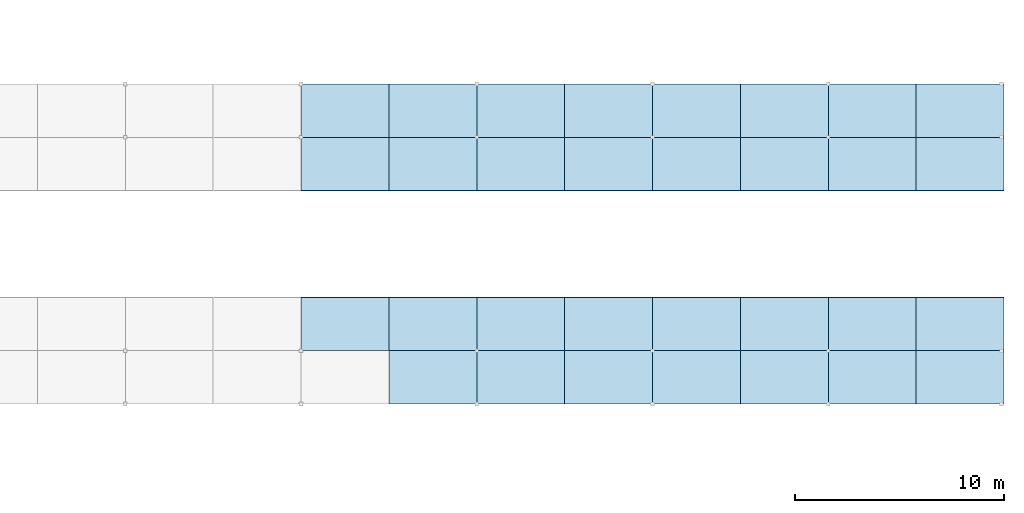
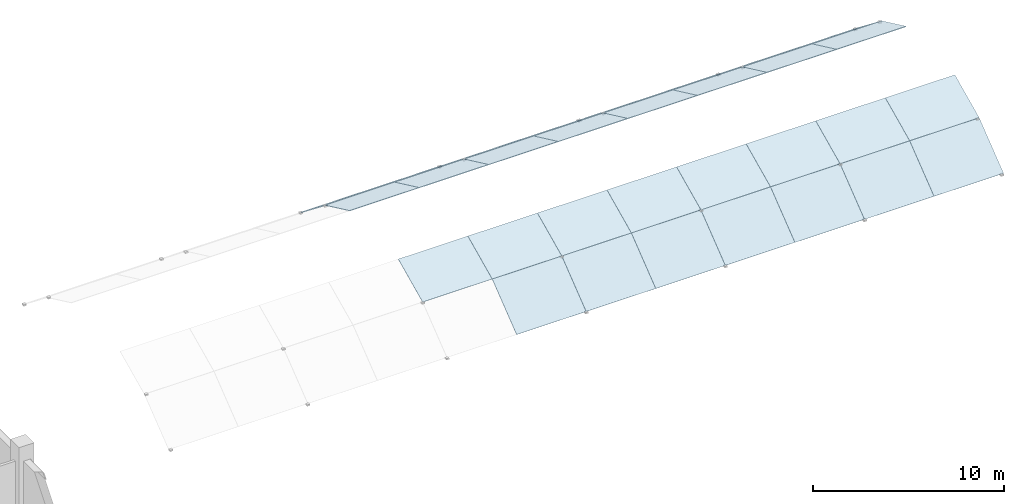
# One storey, part 19 of 59: 31 plates.
"""IFC4 building model written with IfcOpenShell, lengths in metres."""

from ifc_helpers import new_model, si_unit, direction, frame, origin, place, context, subcontext, project, spatial, polyline, outline, extrude, material, layer, layer_set, type_object, element, save


model = new_model("IFC4")

# Units and contexts
model_context = context("Model", 3, precision=1e-05, world=origin(), true_north=direction((0.0, 1.0)))
body_context = subcontext(model_context, "Body", "Model", "MODEL_VIEW")
ifc_project = project(units=[si_unit("LENGTHUNIT", "METRE"), si_unit("AREAUNIT", "SQUARE_METRE"), si_unit("VOLUMEUNIT", "CUBIC_METRE"), si_unit("PLANEANGLEUNIT", "RADIAN"), si_unit("MASSUNIT", "GRAM", prefix="KILO")], contexts=[model_context])

# Site, building, storey
site_placement = place(None, origin())
site = spatial("IfcSite", under=ifc_project, at=site_placement, CompositionType="ELEMENT")
building_placement = place(site_placement, origin())
building = spatial("IfcBuilding", under=site, at=building_placement, Name="Telukmera Botanical Conservatory", CompositionType="ELEMENT")
storey_placement = place(building_placement, frame((0.0, 0.0, 15.0)))
storey = spatial("IfcBuildingStorey", under=building, at=storey_placement, Name="L03", CompositionType="ELEMENT", Elevation=15.0)

# Plates
ifc_material = material(Name="Low-iron laminated conservatory glass", Category="glass")
ifc_layer = layer(ifc_material, 0.031982421875)
ifc_layer_set = layer_set([ifc_layer], Name="Low-iron laminated conservatory glass")
plate_type = type_object("IfcPlateType", Name="Conservatory Gridshell Laminated Skylight Facet 32", PredefinedType="USERDEFINED", material=ifc_layer_set)
plate_1_placement = place(storey_placement, frame((134.402099609375, 27.802001953125, 3.453369140625), z_axis=(0.0, -0.425776142799, 0.904828534156), x_axis=(1.0, 0.0, 0.0)))
element("IfcPlate", 1, at=plate_1_placement, inside=storey, type_object=plate_type, Name="Conservatory Gridshell Glass Facet 05-05", ObjectType="SKYLIGHT_PANEL", PredefinedType="USERDEFINED", context=body_context, shape_type="SweptSolid", body=[
    extrude(outline(polyline([(0.0, 0.0), (4.19580078125, 0.0), (4.19580078125, 2.813680538792785), (0.0, 2.813680538792785), (0.0, 0.0)])), origin(), (0.0, 0.0, -1.0), 0.031982421875),
])
plate_2_placement = place(storey_placement, frame((134.402099609375, 35.451904296875, 4.6513671875), z_axis=(0.0, 0.425742716941, 0.904844262275), x_axis=(1.0, 0.0, 0.0)))
element("IfcPlate", 2, at=plate_2_placement, inside=storey, type_object=plate_type, Name="Conservatory Gridshell Glass Facet 05-08", ObjectType="SKYLIGHT_PANEL", PredefinedType="USERDEFINED", context=body_context, shape_type="SweptSolid", body=[
    extrude(outline(polyline([(0.0, 0.0), (4.19580078125, 0.0), (4.19580078125, 2.813901446116643), (0.0, 2.813901446116643), (0.0, 0.0)])), origin(), (0.0, 0.0, -1.0), 0.031982421875),
])
plate_3_placement = place(storey_placement, frame((134.402099609375, 38.001953125, 3.45068359375), z_axis=(0.0, 0.617111539729, 0.786875687472), x_axis=(1.0, 0.0, 0.0)))
element("IfcPlate", 3, at=plate_3_placement, inside=storey, type_object=plate_type, Name="Conservatory Gridshell Glass Facet 05-09", ObjectType="SKYLIGHT_PANEL", PredefinedType="USERDEFINED", context=body_context, shape_type="SweptSolid", body=[
    extrude(outline(polyline([(0.0, 0.0), (4.19580078125, 0.0), (4.19580078125, 3.235762165058796), (0.0, 3.235762165058796), (0.0, 0.0)])), origin(), (0.0, 0.0, -1.0), 0.031982421875),
])
plate_4_placement = place(storey_placement, frame((138.60205078125, 25.251953125, 1.453857421875), z_axis=(0.0, -0.617111539729, 0.786875687472), x_axis=(1.0, 0.0, 0.0)))
element("IfcPlate", 4, at=plate_4_placement, inside=storey, type_object=plate_type, Name="Conservatory Gridshell Glass Facet 06-04", ObjectType="SKYLIGHT_PANEL", PredefinedType="USERDEFINED", context=body_context, shape_type="SweptSolid", body=[
    extrude(outline(polyline([(0.0, 0.0), (4.196044921875, 0.0), (4.196044921875, 3.235762165058796), (0.0, 3.235762165058796), (0.0, 0.0)])), origin(), (0.0, 0.0, -1.0), 0.031982421875),
])
plate_5_placement = place(storey_placement, frame((138.60205078125, 27.802001953125, 3.453369140625), z_axis=(0.0, -0.425776142799, 0.904828534156), x_axis=(1.0, 0.0, 0.0)))
element("IfcPlate", 5, at=plate_5_placement, inside=storey, type_object=plate_type, Name="Conservatory Gridshell Glass Facet 06-05", ObjectType="SKYLIGHT_PANEL", PredefinedType="USERDEFINED", context=body_context, shape_type="SweptSolid", body=[
    extrude(outline(polyline([(0.0, 0.0), (4.196044921875, 0.0), (4.196044921875, 2.8136805387927852), (0.0, 2.8136805387927852), (0.0, 0.0)])), origin(), (0.0, 0.0, -1.0), 0.031982421875),
])
plate_6_placement = place(storey_placement, frame((138.60205078125, 35.451904296875, 4.6513671875), z_axis=(0.0, 0.425742716941, 0.904844262275), x_axis=(1.0, 0.0, 0.0)))
element("IfcPlate", 6, at=plate_6_placement, inside=storey, type_object=plate_type, Name="Conservatory Gridshell Glass Facet 06-08", ObjectType="SKYLIGHT_PANEL", PredefinedType="USERDEFINED", context=body_context, shape_type="SweptSolid", body=[
    extrude(outline(polyline([(0.0, 0.0), (4.196044921875, 0.0), (4.196044921875, 2.8139014461166436), (0.0, 2.8139014461166436), (0.0, 0.0)])), origin(), (0.0, 0.0, -1.0), 0.031982421875),
])
for number, where, z_axis, x_axis, name in (
    (7, (138.60205078125, 38.001953125, 3.45068359375), (0.0, 0.617111539729, 0.786875687472), (1.0, 0.0, 0.0), "Conservatory Gridshell Glass Facet 06-09"),
    (8, (142.802001953125, 25.251953125, 1.453857421875), (0.0, -0.617111539729, 0.786875687472), (1.0, 0.0, 0.0), "Conservatory Gridshell Glass Facet 07-04"),
):
    element("IfcPlate", number, at=place(storey_placement, frame(where, z_axis=z_axis, x_axis=x_axis)), inside=storey, type_object=plate_type, Name=name, ObjectType="SKYLIGHT_PANEL", PredefinedType="USERDEFINED", context=body_context, shape_type="SweptSolid", body=[
        extrude(outline(polyline([(0.0, 0.0), (4.196044921875, 0.0), (4.196044921875, 3.235762165058796), (0.0, 3.235762165058796), (0.0, 0.0)])), origin(), (0.0, 0.0, -1.0), 0.031982421875),
    ])
plate_7_placement = place(storey_placement, frame((142.802001953125, 27.802001953125, 3.453369140625), z_axis=(0.0, -0.425776142799, 0.904828534156), x_axis=(1.0, 0.0, 0.0)))
element("IfcPlate", 9, at=plate_7_placement, inside=storey, type_object=plate_type, Name="Conservatory Gridshell Glass Facet 07-05", ObjectType="SKYLIGHT_PANEL", PredefinedType="USERDEFINED", context=body_context, shape_type="SweptSolid", body=[
    extrude(outline(polyline([(0.0, 0.0), (4.196044921875, 0.0), (4.196044921875, 2.8136805387927852), (0.0, 2.8136805387927852), (0.0, 0.0)])), origin(), (0.0, 0.0, -1.0), 0.031982421875),
])
plate_8_placement = place(storey_placement, frame((142.802001953125, 35.451904296875, 4.6513671875), z_axis=(0.0, 0.425742716941, 0.904844262275), x_axis=(1.0, 0.0, 0.0)))
element("IfcPlate", 10, at=plate_8_placement, inside=storey, type_object=plate_type, Name="Conservatory Gridshell Glass Facet 07-08", ObjectType="SKYLIGHT_PANEL", PredefinedType="USERDEFINED", context=body_context, shape_type="SweptSolid", body=[
    extrude(outline(polyline([(0.0, 0.0), (4.196044921875, 0.0), (4.196044921875, 2.8139014461166436), (0.0, 2.8139014461166436), (0.0, 0.0)])), origin(), (0.0, 0.0, -1.0), 0.031982421875),
])
for number, where, z_axis, x_axis, name in (
    (11, (142.802001953125, 38.001953125, 3.45068359375), (0.0, 0.617111539729, 0.786875687472), (1.0, 0.0, 0.0), "Conservatory Gridshell Glass Facet 07-09"),
    (12, (147.001953125, 25.251953125, 1.453857421875), (0.0, -0.617111539729, 0.786875687472), (1.0, 0.0, 0.0), "Conservatory Gridshell Glass Facet 08-04"),
):
    element("IfcPlate", number, at=place(storey_placement, frame(where, z_axis=z_axis, x_axis=x_axis)), inside=storey, type_object=plate_type, Name=name, ObjectType="SKYLIGHT_PANEL", PredefinedType="USERDEFINED", context=body_context, shape_type="SweptSolid", body=[
        extrude(outline(polyline([(0.0, 0.0), (4.196044921875, 0.0), (4.196044921875, 3.235762165058796), (0.0, 3.235762165058796), (0.0, 0.0)])), origin(), (0.0, 0.0, -1.0), 0.031982421875),
    ])
plate_9_placement = place(storey_placement, frame((147.001953125, 27.802001953125, 3.453369140625), z_axis=(0.0, -0.425776142799, 0.904828534156), x_axis=(1.0, 0.0, 0.0)))
element("IfcPlate", 13, at=plate_9_placement, inside=storey, type_object=plate_type, Name="Conservatory Gridshell Glass Facet 08-05", ObjectType="SKYLIGHT_PANEL", PredefinedType="USERDEFINED", context=body_context, shape_type="SweptSolid", body=[
    extrude(outline(polyline([(0.0, 0.0), (4.196044921875, 0.0), (4.196044921875, 2.8136805387927852), (0.0, 2.8136805387927852), (0.0, 0.0)])), origin(), (0.0, 0.0, -1.0), 0.031982421875),
])
plate_10_placement = place(storey_placement, frame((147.001953125, 35.451904296875, 4.6513671875), z_axis=(0.0, 0.425742716941, 0.904844262275), x_axis=(1.0, 0.0, 0.0)))
element("IfcPlate", 14, at=plate_10_placement, inside=storey, type_object=plate_type, Name="Conservatory Gridshell Glass Facet 08-08", ObjectType="SKYLIGHT_PANEL", PredefinedType="USERDEFINED", context=body_context, shape_type="SweptSolid", body=[
    extrude(outline(polyline([(0.0, 0.0), (4.196044921875, 0.0), (4.196044921875, 2.8139014461166436), (0.0, 2.8139014461166436), (0.0, 0.0)])), origin(), (0.0, 0.0, -1.0), 0.031982421875),
])
for number, where, z_axis, x_axis, name in (
    (15, (147.001953125, 38.001953125, 3.45068359375), (0.0, 0.617111539729, 0.786875687472), (1.0, 0.0, 0.0), "Conservatory Gridshell Glass Facet 08-09"),
    (16, (151.201904296875, 25.251953125, 1.453857421875), (0.0, -0.617111539729, 0.786875687472), (1.0, 0.0, 0.0), "Conservatory Gridshell Glass Facet 09-04"),
):
    element("IfcPlate", number, at=place(storey_placement, frame(where, z_axis=z_axis, x_axis=x_axis)), inside=storey, type_object=plate_type, Name=name, ObjectType="SKYLIGHT_PANEL", PredefinedType="USERDEFINED", context=body_context, shape_type="SweptSolid", body=[
        extrude(outline(polyline([(0.0, 0.0), (4.196044921875, 0.0), (4.196044921875, 3.235762165058796), (0.0, 3.235762165058796), (0.0, 0.0)])), origin(), (0.0, 0.0, -1.0), 0.031982421875),
    ])
plate_11_placement = place(storey_placement, frame((151.201904296875, 27.802001953125, 3.453369140625), z_axis=(0.0, -0.425776142799, 0.904828534156), x_axis=(1.0, 0.0, 0.0)))
element("IfcPlate", 17, at=plate_11_placement, inside=storey, type_object=plate_type, Name="Conservatory Gridshell Glass Facet 09-05", ObjectType="SKYLIGHT_PANEL", PredefinedType="USERDEFINED", context=body_context, shape_type="SweptSolid", body=[
    extrude(outline(polyline([(0.0, 0.0), (4.196044921875, 0.0), (4.196044921875, 2.8136805387927852), (0.0, 2.8136805387927852), (0.0, 0.0)])), origin(), (0.0, 0.0, -1.0), 0.031982421875),
])
plate_12_placement = place(storey_placement, frame((151.201904296875, 35.451904296875, 4.6513671875), z_axis=(0.0, 0.425742716941, 0.904844262275), x_axis=(1.0, 0.0, 0.0)))
element("IfcPlate", 18, at=plate_12_placement, inside=storey, type_object=plate_type, Name="Conservatory Gridshell Glass Facet 09-08", ObjectType="SKYLIGHT_PANEL", PredefinedType="USERDEFINED", context=body_context, shape_type="SweptSolid", body=[
    extrude(outline(polyline([(0.0, 0.0), (4.196044921875, 0.0), (4.196044921875, 2.8139014461166436), (0.0, 2.8139014461166436), (0.0, 0.0)])), origin(), (0.0, 0.0, -1.0), 0.031982421875),
])
plate_13_placement = place(storey_placement, frame((151.201904296875, 38.001953125, 3.45068359375), z_axis=(0.0, 0.617111539729, 0.786875687472), x_axis=(1.0, 0.0, 0.0)))
element("IfcPlate", 19, at=plate_13_placement, inside=storey, type_object=plate_type, Name="Conservatory Gridshell Glass Facet 09-09", ObjectType="SKYLIGHT_PANEL", PredefinedType="USERDEFINED", context=body_context, shape_type="SweptSolid", body=[
    extrude(outline(polyline([(0.0, 0.0), (4.196044921875, 0.0), (4.196044921875, 3.235762165058796), (0.0, 3.235762165058796), (0.0, 0.0)])), origin(), (0.0, 0.0, -1.0), 0.031982421875),
])
plate_14_placement = place(storey_placement, frame((155.402099609375, 25.251953125, 1.453857421875), z_axis=(0.0, -0.617111539729, 0.786875687472), x_axis=(1.0, 0.0, 0.0)))
element("IfcPlate", 20, at=plate_14_placement, inside=storey, type_object=plate_type, Name="Conservatory Gridshell Glass Facet 10-04", ObjectType="SKYLIGHT_PANEL", PredefinedType="USERDEFINED", context=body_context, shape_type="SweptSolid", body=[
    extrude(outline(polyline([(0.0, 0.0), (4.19580078125, 0.0), (4.19580078125, 3.235762165058796), (0.0, 3.235762165058796), (0.0, 0.0)])), origin(), (0.0, 0.0, -1.0), 0.031982421875),
])
plate_15_placement = place(storey_placement, frame((155.402099609375, 27.802001953125, 3.453369140625), z_axis=(0.0, -0.425776142799, 0.904828534156), x_axis=(1.0, 0.0, 0.0)))
element("IfcPlate", 21, at=plate_15_placement, inside=storey, type_object=plate_type, Name="Conservatory Gridshell Glass Facet 10-05", ObjectType="SKYLIGHT_PANEL", PredefinedType="USERDEFINED", context=body_context, shape_type="SweptSolid", body=[
    extrude(outline(polyline([(0.0, 0.0), (4.19580078125, 0.0), (4.19580078125, 2.813680538792785), (0.0, 2.813680538792785), (0.0, 0.0)])), origin(), (0.0, 0.0, -1.0), 0.031982421875),
])
plate_16_placement = place(storey_placement, frame((155.402099609375, 35.451904296875, 4.6513671875), z_axis=(0.0, 0.425742716941, 0.904844262275), x_axis=(1.0, 0.0, 0.0)))
element("IfcPlate", 22, at=plate_16_placement, inside=storey, type_object=plate_type, Name="Conservatory Gridshell Glass Facet 10-08", ObjectType="SKYLIGHT_PANEL", PredefinedType="USERDEFINED", context=body_context, shape_type="SweptSolid", body=[
    extrude(outline(polyline([(0.0, 0.0), (4.19580078125, 0.0), (4.19580078125, 2.813901446116643), (0.0, 2.813901446116643), (0.0, 0.0)])), origin(), (0.0, 0.0, -1.0), 0.031982421875),
])
plate_17_placement = place(storey_placement, frame((155.402099609375, 38.001953125, 3.45068359375), z_axis=(0.0, 0.617111539729, 0.786875687472), x_axis=(1.0, 0.0, 0.0)))
element("IfcPlate", 23, at=plate_17_placement, inside=storey, type_object=plate_type, Name="Conservatory Gridshell Glass Facet 10-09", ObjectType="SKYLIGHT_PANEL", PredefinedType="USERDEFINED", context=body_context, shape_type="SweptSolid", body=[
    extrude(outline(polyline([(0.0, 0.0), (4.19580078125, 0.0), (4.19580078125, 3.235762165058796), (0.0, 3.235762165058796), (0.0, 0.0)])), origin(), (0.0, 0.0, -1.0), 0.031982421875),
])
plate_18_placement = place(storey_placement, frame((159.60205078125, 25.251953125, 1.453857421875), z_axis=(0.0, -0.617111539729, 0.786875687472), x_axis=(1.0, 0.0, 0.0)))
element("IfcPlate", 24, at=plate_18_placement, inside=storey, type_object=plate_type, Name="Conservatory Gridshell Glass Facet 11-04", ObjectType="SKYLIGHT_PANEL", PredefinedType="USERDEFINED", context=body_context, shape_type="SweptSolid", body=[
    extrude(outline(polyline([(0.0, 0.0), (4.196044921875, 0.0), (4.196044921875, 3.235762165058796), (0.0, 3.235762165058796), (0.0, 0.0)])), origin(), (0.0, 0.0, -1.0), 0.031982421875),
])
plate_19_placement = place(storey_placement, frame((159.60205078125, 27.802001953125, 3.453369140625), z_axis=(0.0, -0.425776142799, 0.904828534156), x_axis=(1.0, 0.0, 0.0)))
element("IfcPlate", 25, at=plate_19_placement, inside=storey, type_object=plate_type, Name="Conservatory Gridshell Glass Facet 11-05", ObjectType="SKYLIGHT_PANEL", PredefinedType="USERDEFINED", context=body_context, shape_type="SweptSolid", body=[
    extrude(outline(polyline([(0.0, 0.0), (4.196044921875, 0.0), (4.196044921875, 2.8136805387927852), (0.0, 2.8136805387927852), (0.0, 0.0)])), origin(), (0.0, 0.0, -1.0), 0.031982421875),
])
plate_20_placement = place(storey_placement, frame((159.60205078125, 35.451904296875, 4.6513671875), z_axis=(0.0, 0.425742716941, 0.904844262275), x_axis=(1.0, 0.0, 0.0)))
element("IfcPlate", 26, at=plate_20_placement, inside=storey, type_object=plate_type, Name="Conservatory Gridshell Glass Facet 11-08", ObjectType="SKYLIGHT_PANEL", PredefinedType="USERDEFINED", context=body_context, shape_type="SweptSolid", body=[
    extrude(outline(polyline([(0.0, 0.0), (4.196044921875, 0.0), (4.196044921875, 2.8139014461166436), (0.0, 2.8139014461166436), (0.0, 0.0)])), origin(), (0.0, 0.0, -1.0), 0.031982421875),
])
for number, where, z_axis, x_axis, name in (
    (27, (159.60205078125, 38.001953125, 3.45068359375), (0.0, 0.617111539729, 0.786875687472), (1.0, 0.0, 0.0), "Conservatory Gridshell Glass Facet 11-09"),
    (28, (163.802001953125, 25.251953125, 1.453857421875), (0.0, -0.617111539729, 0.786875687472), (1.0, 0.0, 0.0), "Conservatory Gridshell Glass Facet 12-04"),
):
    element("IfcPlate", number, at=place(storey_placement, frame(where, z_axis=z_axis, x_axis=x_axis)), inside=storey, type_object=plate_type, Name=name, ObjectType="SKYLIGHT_PANEL", PredefinedType="USERDEFINED", context=body_context, shape_type="SweptSolid", body=[
        extrude(outline(polyline([(0.0, 0.0), (4.196044921875, 0.0), (4.196044921875, 3.235762165058796), (0.0, 3.235762165058796), (0.0, 0.0)])), origin(), (0.0, 0.0, -1.0), 0.031982421875),
    ])
plate_21_placement = place(storey_placement, frame((163.802001953125, 27.802001953125, 3.453369140625), z_axis=(0.0, -0.425776142799, 0.904828534156), x_axis=(1.0, 0.0, 0.0)))
element("IfcPlate", 29, at=plate_21_placement, inside=storey, type_object=plate_type, Name="Conservatory Gridshell Glass Facet 12-05", ObjectType="SKYLIGHT_PANEL", PredefinedType="USERDEFINED", context=body_context, shape_type="SweptSolid", body=[
    extrude(outline(polyline([(0.0, 0.0), (4.196044921875, 0.0), (4.196044921875, 2.8136805387927852), (0.0, 2.8136805387927852), (0.0, 0.0)])), origin(), (0.0, 0.0, -1.0), 0.031982421875),
])
plate_22_placement = place(storey_placement, frame((163.802001953125, 35.451904296875, 4.6513671875), z_axis=(0.0, 0.425742716941, 0.904844262275), x_axis=(1.0, 0.0, 0.0)))
element("IfcPlate", 30, at=plate_22_placement, inside=storey, type_object=plate_type, Name="Conservatory Gridshell Glass Facet 12-08", ObjectType="SKYLIGHT_PANEL", PredefinedType="USERDEFINED", context=body_context, shape_type="SweptSolid", body=[
    extrude(outline(polyline([(0.0, 0.0), (4.196044921875, 0.0), (4.196044921875, 2.8139014461166436), (0.0, 2.8139014461166436), (0.0, 0.0)])), origin(), (0.0, 0.0, -1.0), 0.031982421875),
])
plate_23_placement = place(storey_placement, frame((163.802001953125, 38.001953125, 3.45068359375), z_axis=(0.0, 0.617111539729, 0.786875687472), x_axis=(1.0, 0.0, 0.0)))
element("IfcPlate", 31, at=plate_23_placement, inside=storey, type_object=plate_type, Name="Conservatory Gridshell Glass Facet 12-09", ObjectType="SKYLIGHT_PANEL", PredefinedType="USERDEFINED", context=body_context, shape_type="SweptSolid", body=[
    extrude(outline(polyline([(0.0, 0.0), (4.196044921875, 0.0), (4.196044921875, 3.235762165058796), (0.0, 3.235762165058796), (0.0, 0.0)])), origin(), (0.0, 0.0, -1.0), 0.031982421875),
])

save(model, "model.ifc")
